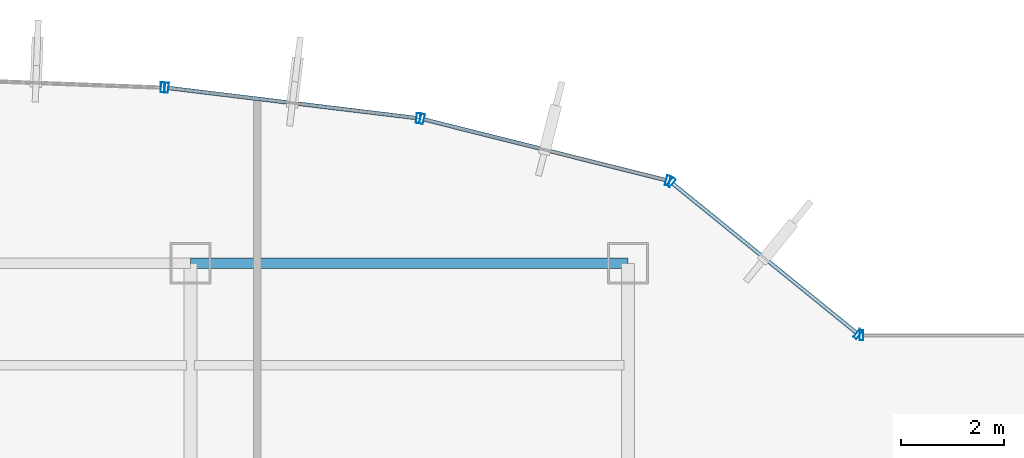
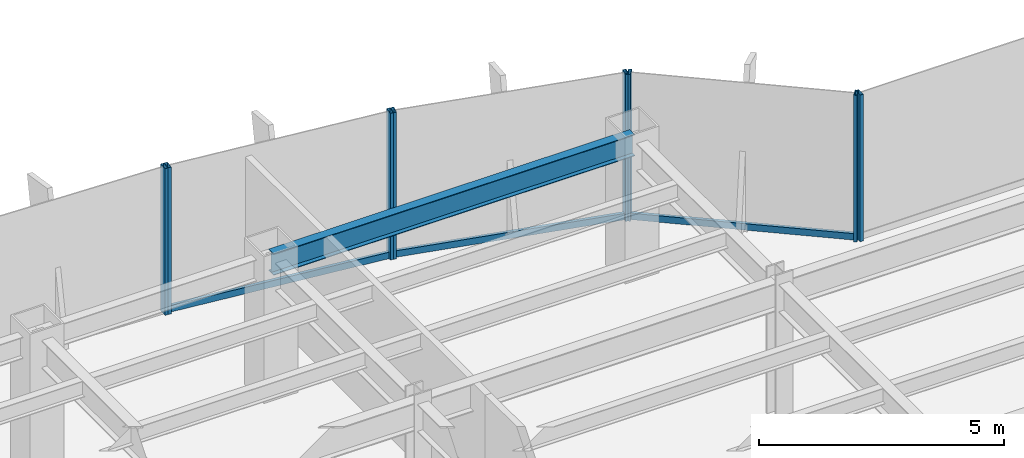
# One storey, part 17 of 25: 11 members, 1 beam, 5 elements without a shape of their own.
"""IFC4 building model written with IfcOpenShell, lengths in metres."""

import ifcopenshell
import ifcopenshell.guid

model = None  # the IFC model being written
_history = None  # IfcOwnerHistory: only IFC2X3 demands one
_inside = {}  # id of a spatial element -> (the spatial element, [elements in it])
_under = {}  # id of a project, library or spatial element -> (it, [spatial elements below it])
_declared = {}  # id of a project -> (the project, [libraries it declares])
_typed = {}  # id of a type object -> (the type object, [elements of that type])
_made_of = {}  # id of a material, layer set ... -> (it, [elements and type objects made of it])


def new_model(schema):
    """Start an empty IFC model of exactly this schema.

    Asked for "IFC4X3", IfcOpenShell would pick the latest addendum, in which some entities
    have other attributes; the version numbers below select the first issue.
    IFC2X3 requires an IfcOwnerHistory on every rooted entity: one is made here for all.
    """
    global model, _history
    if schema == "IFC4X3":
        model = ifcopenshell.file(schema_version=(4, 3, 0, 0))
    else:
        model = ifcopenshell.file(schema=schema)
    _inside.clear()
    _under.clear()
    _declared.clear()
    _typed.clear()
    _made_of.clear()
    _history = None
    if model.schema == "IFC2X3":
        org = make("IfcOrganization", Name="unknown")
        user = make(
            "IfcPersonAndOrganization",
            ThePerson=make("IfcPerson", FamilyName="unknown"),
            TheOrganization=org,
        )
        app = make(
            "IfcApplication",
            ApplicationDeveloper=org,
            Version="unknown",
            ApplicationFullName="unknown",
            ApplicationIdentifier="unknown",
        )
        _history = make(
            "IfcOwnerHistory",
            OwningUser=user,
            OwningApplication=app,
            ChangeAction="ADDED",
            CreationDate=0,
        )
    return model


def make(cls, **values):
    """One entity of the class cls with the attributes given. An attribute that is None is left unset."""
    return model.create_entity(
        cls, **{name: value for name, value in values.items() if value is not None}
    )


def rooted(cls, **values):
    """An entity with a GlobalId (a new one), such as an element, a storey or a relation."""
    return make(cls, GlobalId=ifcopenshell.guid.new(), OwnerHistory=_history, **values)


def si_unit(unit_type, name, prefix=None):
    """IfcSIUnit, for example si_unit("LENGTHUNIT", "METRE", prefix="MILLI")."""
    return make("IfcSIUnit", UnitType=unit_type, Prefix=prefix, Name=name)


def derived_unit(unit_type, elements):
    """IfcDerivedUnit: a product of units, each with its exponent."""
    return make(
        "IfcDerivedUnit",
        Elements=[
            make("IfcDerivedUnitElement", Unit=unit, Exponent=power)
            for unit, power in elements
        ],
        UnitType=unit_type,
    )


def assignment(units):
    """IfcUnitAssignment: the units of a project."""
    return None if units is None else make("IfcUnitAssignment", Units=units)


def point(xyz):
    """IfcCartesianPoint."""
    return None if xyz is None else make("IfcCartesianPoint", Coordinates=xyz)


def direction(xyz):
    """IfcDirection."""
    return None if xyz is None else make("IfcDirection", DirectionRatios=xyz)


def frame(location, z_axis=None, x_axis=None):
    """IfcAxis2Placement3D, a coordinate frame: its origin and axes. An axis left out is left unset."""
    return make(
        "IfcAxis2Placement3D",
        Location=point(location),
        Axis=direction(z_axis),
        RefDirection=direction(x_axis),
    )


def frame_2d(location, x_axis=None):
    """IfcAxis2Placement2D, a coordinate frame in the plane: its origin and x axis."""
    return make(
        "IfcAxis2Placement2D", Location=point(location), RefDirection=direction(x_axis)
    )


def origin():
    """The frame at (0, 0, 0) with its axes left unset."""
    return frame((0.0, 0.0, 0.0))


def origin_2d():
    """The frame at (0, 0) in the plane with its x axis left unset."""
    return frame_2d((0.0, 0.0))


def place(relative_to, where):
    """IfcLocalPlacement: puts the frame where relative to a parent placement (None: the world)."""
    return make(
        "IfcLocalPlacement", PlacementRelTo=relative_to, RelativePlacement=where
    )


def context(
    kind, dimensions, precision=None, world=None, true_north=None, identifier=None
):
    """IfcGeometricRepresentationContext, for example the 3D "Model" context."""
    return make(
        "IfcGeometricRepresentationContext",
        ContextIdentifier=identifier,
        ContextType=kind,
        CoordinateSpaceDimension=dimensions,
        Precision=precision,
        WorldCoordinateSystem=world,
        TrueNorth=true_north,
    )


def subcontext(parent, identifier, kind, view, scale=None):
    """IfcGeometricRepresentationSubContext, for example "Body" below "Model"."""
    return make(
        "IfcGeometricRepresentationSubContext",
        ContextIdentifier=identifier,
        ContextType=kind,
        ParentContext=parent,
        TargetScale=scale,
        TargetView=view,
    )


def project(units=None, contexts=None):
    """IfcProject with its units and contexts."""
    return rooted(
        "IfcProject",
        Name="project",
        RepresentationContexts=contexts,
        UnitsInContext=assignment(units),
    )


def spatial(cls, under=None, at=None, **own):
    """A site, building, storey or space (cls), placed at a placement, below another one or the project."""
    s = rooted(cls, ObjectPlacement=at, **own)
    if under is not None:
        _under.setdefault(under.id(), (under, []))[1].append(s)
    return s


def profile(cls, at=None, kind="AREA", **sizes):
    """A parametric profile (cls). Its sizes go by their IFC names, for example OverallWidth=200.0."""
    return make(cls, ProfileType=kind, Position=at, **sizes)


def hollow_rectangle(**sizes):
    """IfcRectangleHollowProfileDef."""
    return profile("IfcRectangleHollowProfileDef", **sizes)


def i_section(**sizes):
    """IfcIShapeProfileDef."""
    return profile("IfcIShapeProfileDef", **sizes)


def extrude(swept, where, along, depth):
    """IfcExtrudedAreaSolid: the profile swept, set in the frame where, extruded along a direction by depth."""
    return make(
        "IfcExtrudedAreaSolid",
        SweptArea=swept,
        Position=where,
        ExtrudedDirection=direction(along),
        Depth=depth,
    )


def shape(context_of_items, identifier, shape_type, items):
    """IfcShapeRepresentation: the items that make up one representation, for example the "Body"."""
    return make(
        "IfcShapeRepresentation",
        ContextOfItems=context_of_items,
        RepresentationIdentifier=identifier,
        RepresentationType=shape_type,
        Items=items,
    )


def source(mapping_origin, context_of_items, identifier, shape_type, items):
    """IfcRepresentationMap: a shape defined once, which mapped items show again and again."""
    return make(
        "IfcRepresentationMap",
        MappingOrigin=mapping_origin,
        MappedRepresentation=shape(context_of_items, identifier, shape_type, items),
    )


def transform(
    local_origin,
    x_axis=None,
    y_axis=None,
    z_axis=None,
    scale=None,
    scale2=None,
    scale3=None,
    uniform=True,
):
    """IfcCartesianTransformationOperator3D, or its non-uniform kind. x_axis, y_axis, z_axis: its Axis1, 2, 3."""
    if uniform:
        return make(
            "IfcCartesianTransformationOperator3D",
            Axis1=direction(x_axis),
            Axis2=direction(y_axis),
            LocalOrigin=point(local_origin),
            Scale=scale,
            Axis3=direction(z_axis),
        )
    return make(
        "IfcCartesianTransformationOperator3DnonUniform",
        Axis1=direction(x_axis),
        Axis2=direction(y_axis),
        LocalOrigin=point(local_origin),
        Scale=scale,
        Axis3=direction(z_axis),
        Scale2=scale2,
        Scale3=scale3,
    )


def mapped(mapping_source, mapping_target):
    """IfcMappedItem: shows the shape of a source again, moved by a transform."""
    return make(
        "IfcMappedItem", MappingSource=mapping_source, MappingTarget=mapping_target
    )


def material(Name=None, Category=None):
    """IfcMaterial."""
    return make("IfcMaterial", Name=Name, Category=Category)


def material_profile(
    of_material, cross_section, Name=None, Category=None, Priority=None
):
    """IfcMaterialProfile: a cross section and its material."""
    return make(
        "IfcMaterialProfile",
        Name=Name,
        Material=of_material,
        Profile=cross_section,
        Priority=Priority,
        Category=Category,
    )


def profile_set(profiles, Name=None, composite=None):
    """IfcMaterialProfileSet."""
    return make(
        "IfcMaterialProfileSet",
        Name=Name,
        MaterialProfiles=profiles,
        CompositeProfile=composite,
    )


def made_of(thing, what):
    """Note that an element or type object is made of a material, layer set ...; save() writes the relation."""
    if what is not None:
        _made_of.setdefault(what.id(), (what, []))[1].append(thing)
    return thing


def type_object(cls, material=None, **own):
    """A type object (cls), such as IfcWallType, which elements share."""
    return made_of(rooted(cls, **own), material)


def element(
    cls,
    number,
    at=None,
    inside=None,
    cuts=None,
    type_object=None,
    material=None,
    context=None,
    identifier="Body",
    shape_type=None,
    held_by="IfcProductDefinitionShape",
    body=None,
    shapes=None,
    **own,
):
    """One element of the class cls, such as IfcWall. Its Tag is "e" and its number.

    at: its placement. inside: the storey or other place that contains it. cuts: it is an
    opening in that element (IfcRelVoidsElement). A single representation is given by context,
    identifier, shape_type and body (its items); several are given by shapes. held_by: the class
    of the entity that holds the representations. save() writes the other relations.
    """
    e = rooted(cls, Tag="e%d" % number, ObjectPlacement=at, **own)
    if body is not None:
        shapes = [shape(context, identifier, shape_type, body)]
    if shapes is not None:
        e.Representation = make(held_by, Representations=shapes)
    if inside is not None:
        _inside.setdefault(inside.id(), (inside, []))[1].append(e)
    if cuts is not None:
        rooted(
            "IfcRelVoidsElement", RelatingBuildingElement=cuts, RelatedOpeningElement=e
        )
    if type_object is not None:
        _typed.setdefault(type_object.id(), (type_object, []))[1].append(e)
    return made_of(e, material)


def aggregate(whole, parts):
    """IfcRelAggregates: a whole, such as a stair, and the parts it consists of."""
    return rooted("IfcRelAggregates", RelatingObject=whole, RelatedObjects=parts)


def save(model, path):
    """Write the relations noted so far, then the file.

    IfcRelAggregates (storeys below a building ...), IfcRelContainedInSpatialStructure (elements
    in a storey), IfcRelDefinesByType, IfcRelAssociatesMaterial and IfcRelDeclares: one each for
    every whole, place, type object, material and project.
    """
    for whole, parts in _under.values():
        aggregate(whole, parts)
    for where, things in _inside.values():
        rooted(
            "IfcRelContainedInSpatialStructure",
            RelatedElements=things,
            RelatingStructure=where,
        )
    for kind, things in _typed.values():
        rooted("IfcRelDefinesByType", RelatedObjects=things, RelatingType=kind)
    for what, things in _made_of.values():
        rooted("IfcRelAssociatesMaterial", RelatedObjects=things, RelatingMaterial=what)
    for by, libraries in _declared.values():
        rooted("IfcRelDeclares", RelatingContext=by, RelatedDefinitions=libraries)
    model.write(path)


model = new_model("IFC4")

# Units and contexts
model_context = context("Model", 3, precision=1e-05, world=origin(), true_north=direction((0.0, 1.0)))
body_context = subcontext(model_context, "Body", "Model", "MODEL_VIEW")
ifc_project = project(units=[si_unit("LENGTHUNIT", "METRE"), si_unit("AREAUNIT", "SQUARE_METRE"), si_unit("VOLUMEUNIT", "CUBIC_METRE"), si_unit("PLANEANGLEUNIT", "RADIAN"), si_unit("MASSUNIT", "GRAM", prefix="KILO"), derived_unit("THERMALTRANSMITTANCEUNIT", [(si_unit("POWERUNIT", "WATT"), 1), (si_unit("LENGTHUNIT", "METRE"), -2), (si_unit("THERMODYNAMICTEMPERATUREUNIT", "KELVIN"), -1)])], contexts=[model_context])

# Site, building, storey
site_placement = place(None, origin())
site = spatial("IfcSite", under=ifc_project, at=site_placement, CompositionType="ELEMENT")
building_placement = place(site_placement, origin())
building = spatial("IfcBuilding", under=site, at=building_placement, Name="Skarnbrae Concourse Arena and Tower", CompositionType="ELEMENT")
storey_placement = place(building_placement, frame((0.0, 0.0, 88.64990234375)))
storey = spatial("IfcBuildingStorey", under=building, at=storey_placement, Name="L21", CompositionType="ELEMENT", Elevation=88.64990234375)

# Beam
ifc_material_1 = material(Name="Steel CSA G40.21 350W", Category="steel")
ifc_material_profile_1 = material_profile(ifc_material_1, i_section(OverallWidth=0.208984375, OverallDepth=0.532958984375, WebThickness=0.01025390625, FlangeThickness=0.015625, at=origin_2d()), Name="W530X92")
ifc_profile_set_1 = profile_set([ifc_material_profile_1], Name="Steel CSA G40.21 350W")
beam_type = type_object("IfcBeamType", Name="BM-SPAN-W530X92", PredefinedType="SPANDREL", material=ifc_profile_set_1)
shared_shape_1 = source(origin(), body_context, "Body", "SweptSolid", [
    extrude(i_section(OverallWidth=0.208984375, OverallDepth=0.532958984375, WebThickness=0.01025390625, FlangeThickness=0.015625, at=origin_2d()), origin(), (0.0, 0.0, 1.0), 8.5),
])
beam_placement = place(storey_placement, frame((33.5, 40.39990234375, 3.133544921875), z_axis=(1.0, 0.0, 0.0), x_axis=(0.0, 1.0, 0.0)))
element("IfcBeam", 1, at=beam_placement, inside=storey, type_object=beam_type, Name="L21 Perimeter spandrel Y40.4-4", PredefinedType="SPANDREL", context=body_context, shape_type="MappedRepresentation", body=[
    mapped(shared_shape_1, transform((0.0, 0.0, 0.0))),
])

# Curtain wall, member
ifc_material_2 = material(Name="Bronze anodised aluminium 6063-T6", Category="aluminium")
curtain_wall_type = type_object("IfcCurtainWallType", Name="CW-SYS-04-MIDZONE", PredefinedType="USERDEFINED", material=ifc_material_2)
curtain_wall_1_placement = place(storey_placement, origin())
curtain_wall_1 = element("IfcCurtainWall", 2, at=curtain_wall_1_placement, inside=storey, type_object=curtain_wall_type, Name="L21 Unitised curtain wall CW-L21-E07", ObjectType="UNITISED CURTAIN WALL", PredefinedType="USERDEFINED")
ifc_material_profile_2 = material_profile(ifc_material_2, hollow_rectangle(XDim=0.074951171875, YDim=0.195068359375, WallThickness=0.00439453125, at=origin_2d()), Name="ALU-MULL-75X195")
ifc_profile_set_2 = profile_set([ifc_material_profile_2], Name="Bronze anodised aluminium 6063-T6")
member_type_1 = type_object("IfcMemberType", Name="CWM-CW-04", PredefinedType="MULLION", material=ifc_profile_set_2)
shared_shape_2 = source(origin(), body_context, "Body", "SweptSolid", [
    extrude(hollow_rectangle(XDim=0.074951171875, YDim=0.195068359375, WallThickness=0.00439453125, at=origin_2d()), origin(), (0.0, 0.0, 1.0), 3.650146484375),
])
member_1_placement = place(storey_placement, frame((46.53759765625, 39.0, 0.0), z_axis=(0.0, 0.0, 1.0), x_axis=(-1.0, 0.0, 0.0)))
member_1 = element("IfcMember", 3, at=member_1_placement, type_object=member_type_1, Name="CW-L21-E07 Mullion 2", PredefinedType="MULLION", context=body_context, shape_type="MappedRepresentation", body=[
    mapped(shared_shape_2, transform((0.0, 0.0, 0.0))),
])
aggregate(curtain_wall_1, [member_1])

# Curtain wall, members
curtain_wall_2_placement = place(storey_placement, origin())
curtain_wall_2 = element("IfcCurtainWall", 4, at=curtain_wall_2_placement, inside=storey, type_object=curtain_wall_type, Name="L21 Unitised curtain wall CW-L21-E08", ObjectType="UNITISED CURTAIN WALL", PredefinedType="USERDEFINED")
member_2_placement = place(storey_placement, frame((46.470947265625, 39.023681640625, 0.0), z_axis=(0.0, 0.0, 1.0), x_axis=(-0.776241200471, 0.630436038542, 0.0)))
member_2 = element("IfcMember", 5, at=member_2_placement, type_object=member_type_1, Name="CW-L21-E08 Mullion 1", PredefinedType="MULLION", context=body_context, shape_type="MappedRepresentation", body=[
    mapped(shared_shape_2, transform((0.0, 0.0, 0.0))),
])
member_3_placement = place(storey_placement, frame((42.840087890625, 41.972412109375, 0.0), z_axis=(0.0, 0.0, 1.0), x_axis=(-0.776241200471, 0.630436038542, 0.0)))
member_3 = element("IfcMember", 6, at=member_3_placement, type_object=member_type_1, Name="CW-L21-E08 Mullion 2", PredefinedType="MULLION", context=body_context, shape_type="MappedRepresentation", body=[
    mapped(shared_shape_2, transform((0.0, 0.0, 0.0))),
])

curtain_wall_3_placement = place(storey_placement, origin())
curtain_wall_3 = element("IfcCurtainWall", 7, at=curtain_wall_3_placement, inside=storey, type_object=curtain_wall_type, Name="L21 Unitised curtain wall CW-L21-E09", ObjectType="UNITISED CURTAIN WALL", PredefinedType="USERDEFINED")
member_4_placement = place(storey_placement, frame((42.774658203125, 42.005126953125, 0.0), z_axis=(0.0, 0.0, 1.0), x_axis=(-0.969903046166, 0.243491439351, 0.0)))
member_4 = element("IfcMember", 8, at=member_4_placement, type_object=member_type_1, Name="CW-L21-E09 Mullion 1", PredefinedType="MULLION", context=body_context, shape_type="MappedRepresentation", body=[
    mapped(shared_shape_2, transform((0.0, 0.0, 0.0))),
])
member_5_placement = place(storey_placement, frame((38.00048828125, 43.20361328125, 0.0), z_axis=(0.0, 0.0, 1.0), x_axis=(-0.969903046166, 0.243491439351, 0.0)))
member_5 = element("IfcMember", 9, at=member_5_placement, type_object=member_type_1, Name="CW-L21-E09 Mullion 2", PredefinedType="MULLION", context=body_context, shape_type="MappedRepresentation", body=[
    mapped(shared_shape_2, transform((0.0, 0.0, 0.0))),
])

curtain_wall_4_placement = place(storey_placement, origin())
curtain_wall_4 = element("IfcCurtainWall", 10, at=curtain_wall_4_placement, inside=storey, type_object=curtain_wall_type, Name="L21 Unitised curtain wall CW-L21-E10", ObjectType="UNITISED CURTAIN WALL", PredefinedType="USERDEFINED")
member_6_placement = place(storey_placement, frame((37.927001953125, 43.21728515625, 0.0), z_axis=(0.0, 0.0, 1.0), x_axis=(-0.992749371969, 0.120202680731, 0.0)))
member_6 = element("IfcMember", 11, at=member_6_placement, type_object=member_type_1, Name="CW-L21-E10 Mullion 1", PredefinedType="MULLION", context=body_context, shape_type="MappedRepresentation", body=[
    mapped(shared_shape_2, transform((0.0, 0.0, 0.0))),
])
member_7_placement = place(storey_placement, frame((33.0361328125, 43.8095703125, 0.0), z_axis=(0.0, 0.0, 1.0), x_axis=(-0.992749371969, 0.120202680731, 0.0)))
member_7 = element("IfcMember", 12, at=member_7_placement, type_object=member_type_1, Name="CW-L21-E10 Mullion 2", PredefinedType="MULLION", context=body_context, shape_type="MappedRepresentation", body=[
    mapped(shared_shape_2, transform((0.0, 0.0, 0.0))),
])

# Curtain wall, member
curtain_wall_5_placement = place(storey_placement, origin())
curtain_wall_5 = element("IfcCurtainWall", 13, at=curtain_wall_5_placement, inside=storey, type_object=curtain_wall_type, Name="L21 Unitised curtain wall CW-L21-E11", ObjectType="UNITISED CURTAIN WALL", PredefinedType="USERDEFINED")
member_8_placement = place(storey_placement, frame((32.96142578125, 43.8154296875, 0.0), z_axis=(0.0, 0.0, 1.0), x_axis=(-0.999308486252, 0.037182647889, 0.0)))
member_8 = element("IfcMember", 14, at=member_8_placement, type_object=member_type_1, Name="CW-L21-E11 Mullion 1", PredefinedType="MULLION", context=body_context, shape_type="MappedRepresentation", body=[
    mapped(shared_shape_2, transform((0.0, 0.0, 0.0))),
])
aggregate(curtain_wall_5, [member_8])

# Member
ifc_material_profile_3 = material_profile(ifc_material_2, hollow_rectangle(XDim=0.074951171875, YDim=0.159912109375, WallThickness=0.00439453125, at=origin_2d()), Name="ALU-TRAN-75X160")
ifc_profile_set_3 = profile_set([ifc_material_profile_3], Name="Bronze anodised aluminium 6063-T6")
member_type_2 = type_object("IfcMemberType", Name="CWT-CW-04", PredefinedType="USERDEFINED", material=ifc_profile_set_3)
shared_shape_3 = source(origin(), body_context, "Body", "SweptSolid", [
    extrude(hollow_rectangle(XDim=0.074951171875, YDim=0.159912109375, WallThickness=0.00439453125, at=origin_2d()), origin(), (0.0, 0.0, 1.0), 4.602294921875),
])
member_9_placement = place(storey_placement, frame((46.44189453125, 39.04736328125, 0.080078125), z_axis=(-0.776251906445, 0.630422856297, 0.0), x_axis=(-0.630422856297, -0.776251906445, 0.0)))
member_9 = element("IfcMember", 15, at=member_9_placement, type_object=member_type_2, Name="CW-L21-E08 Transom 1", ObjectType="TRANSOM", PredefinedType="USERDEFINED", context=body_context, shape_type="MappedRepresentation", body=[
    mapped(shared_shape_3, transform((0.0, 0.0, 0.0))),
])

aggregate(curtain_wall_2, [member_2, member_3, member_9])

shared_shape_4 = source(origin(), body_context, "Body", "SweptSolid", [
    extrude(hollow_rectangle(XDim=0.074951171875, YDim=0.159912109375, WallThickness=0.00439453125, at=origin_2d()), origin(), (0.0, 0.0, 1.0), 4.84716796875),
])
member_10_placement = place(storey_placement, frame((42.73828125, 42.014404296875, 0.080078125), z_axis=(-0.969907992238, 0.243471736744, 0.0), x_axis=(-0.243471736744, -0.969907992238, 0.0)))
member_10 = element("IfcMember", 16, at=member_10_placement, type_object=member_type_2, Name="CW-L21-E09 Transom 1", ObjectType="TRANSOM", PredefinedType="USERDEFINED", context=body_context, shape_type="MappedRepresentation", body=[
    mapped(shared_shape_4, transform((0.0, 0.0, 0.0))),
])

aggregate(curtain_wall_3, [member_4, member_5, member_10])

shared_shape_5 = source(origin(), body_context, "Body", "SweptSolid", [
    extrude(hollow_rectangle(XDim=0.074951171875, YDim=0.159912109375, WallThickness=0.00439453125, at=origin_2d()), origin(), (0.0, 0.0, 1.0), 4.851318359375),
])
member_11_placement = place(storey_placement, frame((37.8896484375, 43.2216796875, 0.080078125), z_axis=(-0.992746710317, 0.120224661172, 0.0), x_axis=(-0.120224661172, -0.992746710317, 0.0)))
member_11 = element("IfcMember", 17, at=member_11_placement, type_object=member_type_2, Name="CW-L21-E10 Transom 1", ObjectType="TRANSOM", PredefinedType="USERDEFINED", context=body_context, shape_type="MappedRepresentation", body=[
    mapped(shared_shape_5, transform((0.0, 0.0, 0.0))),
])

aggregate(curtain_wall_4, [member_6, member_7, member_11])

save(model, "model.ifc")
